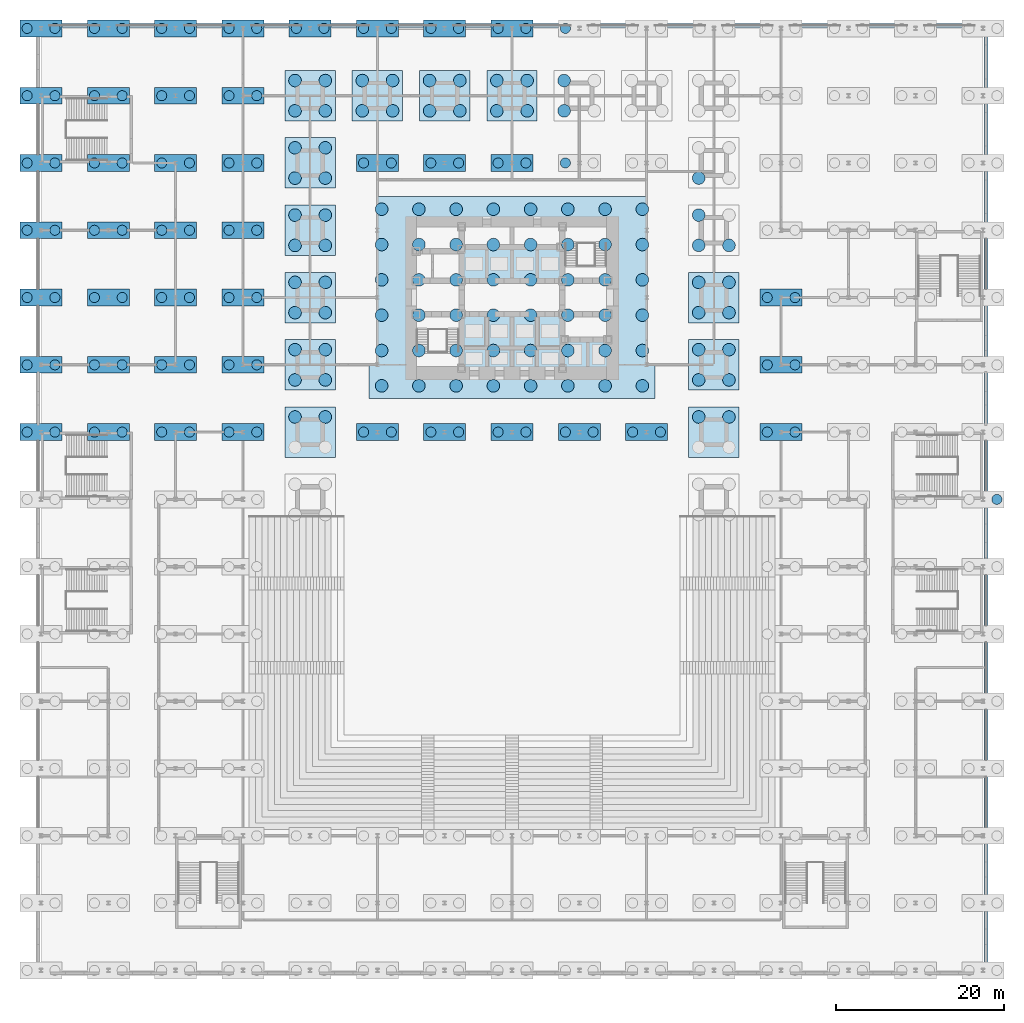
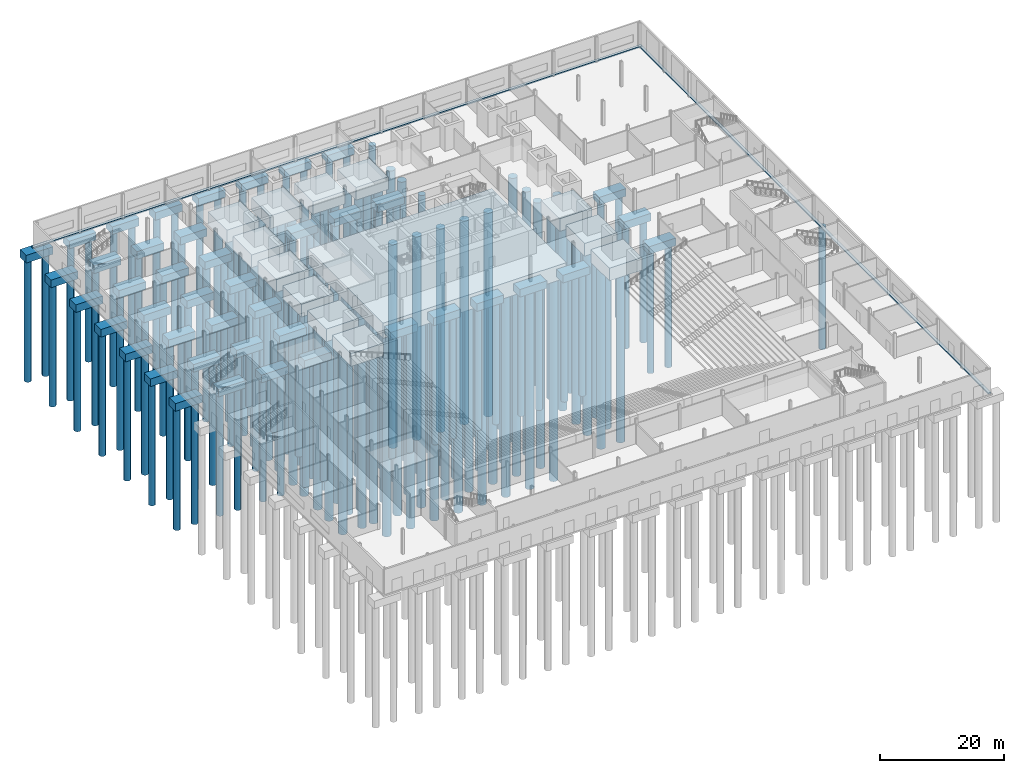
# One storey, part 2 of 24: 187 piles, 58 footings.
"""IFC4 building model written with IfcOpenShell, lengths in metres."""

from ifc_helpers import new_model, si_unit, direction, frame, origin, origin_2d, place, context, subcontext, project, spatial, polyline, rectangle, circle, outline, extrude, material, layer, layer_set, type_object, element, save


model = new_model("IFC4")

# Units and contexts
model_context = context("Model", 3, precision=1e-05, world=origin(), true_north=direction((0.0, 1.0)))
body_context = subcontext(model_context, "Body", "Model", "MODEL_VIEW")
ifc_project = project(units=[si_unit("LENGTHUNIT", "METRE"), si_unit("AREAUNIT", "SQUARE_METRE"), si_unit("VOLUMEUNIT", "CUBIC_METRE"), si_unit("PLANEANGLEUNIT", "RADIAN"), si_unit("MASSUNIT", "GRAM", prefix="KILO")], contexts=[model_context])

# Site, building, storey
site_placement = place(None, origin())
site = spatial("IfcSite", under=ifc_project, at=site_placement, CompositionType="ELEMENT")
building_placement = place(site_placement, origin())
building = spatial("IfcBuilding", under=site, at=building_placement, Name="Daluyong Arena Tower", CompositionType="ELEMENT")
storey_placement = place(building_placement, origin())
storey = spatial("IfcBuildingStorey", under=building, at=storey_placement, Name="L00", CompositionType="ELEMENT", Elevation=0.0)

# Piles
ifc_material_1 = material(Name="Concrete fc' 45 MPa", Category="concrete")
pile_type_1 = type_object("IfcPileType", Name="Bored pile D1200", PredefinedType="BORED", material=ifc_material_1)
for number, where, z_axis, x_axis, name in (
    (1, (-1.64990234375, 64.0, -1.64990234375), (0.0, 0.0, -1.0), (1.0, 0.0, 0.0), "pile under PC2 at 0,64"),
    (2, (1.64990234375, 64.0, -1.64990234375), (0.0, 0.0, -1.0), (1.0, 0.0, 0.0), "pile under PC2 at 0,64"),
    (3, (-1.64990234375, 72.0, -1.64990234375), (0.0, 0.0, -1.0), (1.0, 0.0, 0.0), "pile under PC2 at 0,72"),
    (4, (1.64990234375, 72.0, -1.64990234375), (0.0, 0.0, -1.0), (1.0, 0.0, 0.0), "pile under PC2 at 0,72"),
    (5, (-1.64990234375, 80.0, -1.64990234375), (0.0, 0.0, -1.0), (1.0, 0.0, 0.0), "pile under PC2 at 0,80"),
    (6, (1.64990234375, 80.0, -1.64990234375), (0.0, 0.0, -1.0), (1.0, 0.0, 0.0), "pile under PC2 at 0,80"),
    (7, (-1.64990234375, 88.0, -1.64990234375), (0.0, 0.0, -1.0), (1.0, 0.0, 0.0), "pile under PC2 at 0,88"),
    (8, (1.64990234375, 88.0, -1.64990234375), (0.0, 0.0, -1.0), (1.0, 0.0, 0.0), "pile under PC2 at 0,88"),
    (9, (-1.64990234375, 96.0, -1.64990234375), (0.0, 0.0, -1.0), (1.0, 0.0, 0.0), "pile under PC2 at 0,96"),
    (10, (1.64990234375, 96.0, -1.64990234375), (0.0, 0.0, -1.0), (1.0, 0.0, 0.0), "pile under PC2 at 0,96"),
    (11, (-1.64990234375, 104.0, -1.64990234375), (0.0, 0.0, -1.0), (1.0, 0.0, 0.0), "pile under PC2 at 0,104"),
    (12, (1.64990234375, 104.0, -1.64990234375), (0.0, 0.0, -1.0), (1.0, 0.0, 0.0), "pile under PC2 at 0,104"),
    (13, (-1.64990234375, 112.0, -1.64990234375), (0.0, 0.0, -1.0), (1.0, 0.0, 0.0), "pile under PC2 at 0,112"),
    (14, (1.64990234375, 112.0, -1.64990234375), (0.0, 0.0, -1.0), (1.0, 0.0, 0.0), "pile under PC2 at 0,112"),
    (15, (6.35009765625, 64.0, -1.64990234375), (0.0, 0.0, -1.0), (1.0, 0.0, 0.0), "pile under PC2 at 8,64"),
    (16, (9.64990234375, 64.0, -1.64990234375), (0.0, 0.0, -1.0), (1.0, 0.0, 0.0), "pile under PC2 at 8,64"),
    (17, (6.35009765625, 72.0, -1.64990234375), (0.0, 0.0, -1.0), (1.0, 0.0, 0.0), "pile under PC2 at 8,72"),
    (18, (9.64990234375, 72.0, -1.64990234375), (0.0, 0.0, -1.0), (1.0, 0.0, 0.0), "pile under PC2 at 8,72"),
    (19, (6.35009765625, 80.0, -1.64990234375), (0.0, 0.0, -1.0), (1.0, 0.0, 0.0), "pile under PC2 at 8,80"),
    (20, (9.64990234375, 80.0, -1.64990234375), (0.0, 0.0, -1.0), (1.0, 0.0, 0.0), "pile under PC2 at 8,80"),
    (21, (6.35009765625, 88.0, -1.64990234375), (0.0, 0.0, -1.0), (1.0, 0.0, 0.0), "pile under PC2 at 8,88"),
    (22, (9.64990234375, 88.0, -1.64990234375), (0.0, 0.0, -1.0), (1.0, 0.0, 0.0), "pile under PC2 at 8,88"),
    (23, (6.35009765625, 96.0, -1.64990234375), (0.0, 0.0, -1.0), (1.0, 0.0, 0.0), "pile under PC2 at 8,96"),
    (24, (9.64990234375, 96.0, -1.64990234375), (0.0, 0.0, -1.0), (1.0, 0.0, 0.0), "pile under PC2 at 8,96"),
    (25, (6.35009765625, 104.0, -1.64990234375), (0.0, 0.0, -1.0), (1.0, 0.0, 0.0), "pile under PC2 at 8,104"),
    (26, (9.64990234375, 104.0, -1.64990234375), (0.0, 0.0, -1.0), (1.0, 0.0, 0.0), "pile under PC2 at 8,104"),
    (27, (6.35009765625, 112.0, -1.64990234375), (0.0, 0.0, -1.0), (1.0, 0.0, 0.0), "pile under PC2 at 8,112"),
    (28, (9.64990234375, 112.0, -1.64990234375), (0.0, 0.0, -1.0), (1.0, 0.0, 0.0), "pile under PC2 at 8,112"),
    (29, (14.35009765625, 64.0, -1.64990234375), (0.0, 0.0, -1.0), (1.0, 0.0, 0.0), "pile under PC2 at 16,64"),
    (30, (17.64990234375, 64.0, -1.64990234375), (0.0, 0.0, -1.0), (1.0, 0.0, 0.0), "pile under PC2 at 16,64"),
    (31, (14.35009765625, 72.0, -1.64990234375), (0.0, 0.0, -1.0), (1.0, 0.0, 0.0), "pile under PC2 at 16,72"),
    (32, (17.64990234375, 72.0, -1.64990234375), (0.0, 0.0, -1.0), (1.0, 0.0, 0.0), "pile under PC2 at 16,72"),
    (33, (14.35009765625, 80.0, -1.64990234375), (0.0, 0.0, -1.0), (1.0, 0.0, 0.0), "pile under PC2 at 16,80"),
    (34, (17.64990234375, 80.0, -1.64990234375), (0.0, 0.0, -1.0), (1.0, 0.0, 0.0), "pile under PC2 at 16,80"),
    (35, (14.35009765625, 88.0, -1.64990234375), (0.0, 0.0, -1.0), (1.0, 0.0, 0.0), "pile under PC2 at 16,88"),
    (36, (17.64990234375, 88.0, -1.64990234375), (0.0, 0.0, -1.0), (1.0, 0.0, 0.0), "pile under PC2 at 16,88"),
    (37, (14.35009765625, 96.0, -1.64990234375), (0.0, 0.0, -1.0), (1.0, 0.0, 0.0), "pile under PC2 at 16,96"),
    (38, (17.64990234375, 96.0, -1.64990234375), (0.0, 0.0, -1.0), (1.0, 0.0, 0.0), "pile under PC2 at 16,96"),
    (39, (14.35009765625, 104.0, -1.64990234375), (0.0, 0.0, -1.0), (1.0, 0.0, 0.0), "pile under PC2 at 16,104"),
    (40, (17.64990234375, 104.0, -1.64990234375), (0.0, 0.0, -1.0), (1.0, 0.0, 0.0), "pile under PC2 at 16,104"),
    (41, (14.35009765625, 112.0, -1.64990234375), (0.0, 0.0, -1.0), (1.0, 0.0, 0.0), "pile under PC2 at 16,112"),
    (42, (17.64990234375, 112.0, -1.64990234375), (0.0, 0.0, -1.0), (1.0, 0.0, 0.0), "pile under PC2 at 16,112"),
    (43, (22.35009765625, 64.0, -1.64990234375), (0.0, 0.0, -1.0), (1.0, 0.0, 0.0), "pile under PC2 at 24,64"),
    (44, (25.64990234375, 64.0, -1.64990234375), (0.0, 0.0, -1.0), (1.0, 0.0, 0.0), "pile under PC2 at 24,64"),
    (45, (22.35009765625, 72.0, -1.64990234375), (0.0, 0.0, -1.0), (1.0, 0.0, 0.0), "pile under PC2 at 24,72"),
    (46, (25.64990234375, 72.0, -1.64990234375), (0.0, 0.0, -1.0), (1.0, 0.0, 0.0), "pile under PC2 at 24,72"),
    (47, (22.35009765625, 80.0, -1.64990234375), (0.0, 0.0, -1.0), (1.0, 0.0, 0.0), "pile under PC2 at 24,80"),
    (48, (25.64990234375, 80.0, -1.64990234375), (0.0, 0.0, -1.0), (1.0, 0.0, 0.0), "pile under PC2 at 24,80"),
    (49, (22.35009765625, 88.0, -1.64990234375), (0.0, 0.0, -1.0), (1.0, 0.0, 0.0), "pile under PC2 at 24,88"),
    (50, (25.64990234375, 88.0, -1.64990234375), (0.0, 0.0, -1.0), (1.0, 0.0, 0.0), "pile under PC2 at 24,88"),
    (51, (22.35009765625, 96.0, -1.64990234375), (0.0, 0.0, -1.0), (1.0, 0.0, 0.0), "pile under PC2 at 24,96"),
    (52, (25.64990234375, 96.0, -1.64990234375), (0.0, 0.0, -1.0), (1.0, 0.0, 0.0), "pile under PC2 at 24,96"),
    (53, (22.35009765625, 104.0, -1.64990234375), (0.0, 0.0, -1.0), (1.0, 0.0, 0.0), "pile under PC2 at 24,104"),
    (54, (25.64990234375, 104.0, -1.64990234375), (0.0, 0.0, -1.0), (1.0, 0.0, 0.0), "pile under PC2 at 24,104"),
    (55, (22.35009765625, 112.0, -1.64990234375), (0.0, 0.0, -1.0), (1.0, 0.0, 0.0), "pile under PC2 at 24,112"),
    (56, (25.64990234375, 112.0, -1.64990234375), (0.0, 0.0, -1.0), (1.0, 0.0, 0.0), "pile under PC2 at 24,112"),
    (57, (30.35009765625, 112.0, -1.64990234375), (0.0, 0.0, -1.0), (1.0, 0.0, 0.0), "pile under PC2 at 32,112"),
    (58, (33.64990234375, 112.0, -1.64990234375), (0.0, 0.0, -1.0), (1.0, 0.0, 0.0), "pile under PC2 at 32,112"),
    (59, (38.35009765625, 64.0, -1.64990234375), (0.0, 0.0, -1.0), (1.0, 0.0, 0.0), "pile under PC2 at 40,64"),
    (60, (41.64990234375, 64.0, -1.64990234375), (0.0, 0.0, -1.0), (1.0, 0.0, 0.0), "pile under PC2 at 40,64"),
    (61, (38.35009765625, 96.0, -1.64990234375), (0.0, 0.0, -1.0), (1.0, 0.0, 0.0), "pile under PC2 at 40,96"),
    (62, (41.64990234375, 96.0, -1.64990234375), (0.0, 0.0, -1.0), (1.0, 0.0, 0.0), "pile under PC2 at 40,96"),
    (63, (38.35009765625, 112.0, -1.64990234375), (0.0, 0.0, -1.0), (1.0, 0.0, 0.0), "pile under PC2 at 40,112"),
    (64, (41.64990234375, 112.0, -1.64990234375), (0.0, 0.0, -1.0), (1.0, 0.0, 0.0), "pile under PC2 at 40,112"),
    (65, (46.35009765625, 64.0, -1.64990234375), (0.0, 0.0, -1.0), (1.0, 0.0, 0.0), "pile under PC2 at 48,64"),
    (66, (49.64990234375, 64.0, -1.64990234375), (0.0, 0.0, -1.0), (1.0, 0.0, 0.0), "pile under PC2 at 48,64"),
    (67, (46.35009765625, 96.0, -1.64990234375), (0.0, 0.0, -1.0), (1.0, 0.0, 0.0), "pile under PC2 at 48,96"),
    (68, (49.64990234375, 96.0, -1.64990234375), (0.0, 0.0, -1.0), (1.0, 0.0, 0.0), "pile under PC2 at 48,96"),
    (69, (46.35009765625, 112.0, -1.64990234375), (0.0, 0.0, -1.0), (1.0, 0.0, 0.0), "pile under PC2 at 48,112"),
    (70, (49.64990234375, 112.0, -1.64990234375), (0.0, 0.0, -1.0), (1.0, 0.0, 0.0), "pile under PC2 at 48,112"),
    (71, (54.35009765625, 64.0, -1.64990234375), (0.0, 0.0, -1.0), (1.0, 0.0, 0.0), "pile under PC2 at 56,64"),
    (72, (57.64990234375, 64.0, -1.64990234375), (0.0, 0.0, -1.0), (1.0, 0.0, 0.0), "pile under PC2 at 56,64"),
    (73, (54.35009765625, 96.0, -1.64990234375), (0.0, 0.0, -1.0), (1.0, 0.0, 0.0), "pile under PC2 at 56,96"),
    (74, (57.64990234375, 96.0, -1.64990234375), (0.0, 0.0, -1.0), (1.0, 0.0, 0.0), "pile under PC2 at 56,96"),
    (75, (54.35009765625, 112.0, -1.64990234375), (0.0, 0.0, -1.0), (1.0, 0.0, 0.0), "pile under PC2 at 56,112"),
    (76, (57.64990234375, 112.0, -1.64990234375), (0.0, 0.0, -1.0), (1.0, 0.0, 0.0), "pile under PC2 at 56,112"),
    (77, (62.35009765625, 64.0, -1.64990234375), (0.0, 0.0, -1.0), (1.0, 0.0, 0.0), "pile under PC2 at 64,64"),
    (78, (65.64990234375, 64.0, -1.64990234375), (0.0, 0.0, -1.0), (1.0, 0.0, 0.0), "pile under PC2 at 64,64"),
    (79, (62.35009765625, 96.0, -1.64990234375), (0.0, 0.0, -1.0), (1.0, 0.0, 0.0), "pile under PC2 at 64,96"),
    (80, (62.35009765625, 112.0, -1.64990234375), (0.0, 0.0, -1.0), (1.0, 0.0, 0.0), "pile under PC2 at 64,112"),
    (81, (70.35009765625, 64.0, -1.64990234375), (0.0, 0.0, -1.0), (1.0, 0.0, 0.0), "pile under PC2 at 72,64"),
    (82, (73.64990234375, 64.0, -1.64990234375), (0.0, 0.0, -1.0), (1.0, 0.0, 0.0), "pile under PC2 at 72,64"),
    (83, (86.35009765625, 64.0, -1.64990234375), (0.0, 0.0, -1.0), (1.0, 0.0, 0.0), "pile under PC2 at 88,64"),
    (84, (89.64990234375, 64.0, -1.64990234375), (0.0, 0.0, -1.0), (1.0, 0.0, 0.0), "pile under PC2 at 88,64"),
    (85, (86.35009765625, 72.0, -1.64990234375), (0.0, 0.0, -1.0), (1.0, 0.0, 0.0), "pile under PC2 at 88,72"),
    (86, (89.64990234375, 72.0, -1.64990234375), (0.0, 0.0, -1.0), (1.0, 0.0, 0.0), "pile under PC2 at 88,72"),
    (87, (86.35009765625, 80.0, -1.64990234375), (0.0, 0.0, -1.0), (1.0, 0.0, 0.0), "pile under PC2 at 88,80"),
    (88, (89.64990234375, 80.0, -1.64990234375), (0.0, 0.0, -1.0), (1.0, 0.0, 0.0), "pile under PC2 at 88,80"),
    (89, (113.64990234375, 56.0, -1.64990234375), (0.0, 0.0, -1.0), (1.0, 0.0, 0.0), "pile under PC2 at 112,56"),
):
    element("IfcPile", number, at=place(storey_placement, frame(where, z_axis=z_axis, x_axis=x_axis)), inside=storey, type_object=pile_type_1, Name=name, PredefinedType="BORED", context=body_context, shape_type="SweptSolid", body=[
        extrude(circle(Radius=0.60009765625, at=origin_2d()), origin(), (0.0, 0.0, 1.0), 24.0),
    ])
ifc_material_2 = material(Name="Concrete fc' 45 MPa", Category="concrete")
pile_type_2 = type_object("IfcPileType", Name="Bored pile D1500", PredefinedType="BORED", material=ifc_material_2)
for number, where, z_axis, x_axis, name in (
    (90, (40.5, 69.5, -4.89990234375), (0.0, 0.0, -1.0), (1.0, 0.0, 0.0), "core raft pile BP1-1"),
    (91, (40.5, 73.699951171875, -4.89990234375), (0.0, 0.0, -1.0), (1.0, 0.0, 0.0), "core raft pile BP1-2"),
    (92, (40.5, 77.89990234375, -4.89990234375), (0.0, 0.0, -1.0), (1.0, 0.0, 0.0), "core raft pile BP1-3"),
    (93, (40.5, 82.10009765625, -4.89990234375), (0.0, 0.0, -1.0), (1.0, 0.0, 0.0), "core raft pile BP1-4"),
    (94, (40.5, 86.300048828125, -4.89990234375), (0.0, 0.0, -1.0), (1.0, 0.0, 0.0), "core raft pile BP1-5"),
    (95, (40.5, 90.5, -4.89990234375), (0.0, 0.0, -1.0), (1.0, 0.0, 0.0), "core raft pile BP1-6"),
    (96, (44.928466796875, 69.5, -4.89990234375), (0.0, 0.0, -1.0), (1.0, 0.0, 0.0), "core raft pile BP1-7"),
    (97, (44.928466796875, 73.699951171875, -4.89990234375), (0.0, 0.0, -1.0), (1.0, 0.0, 0.0), "core raft pile BP1-8"),
    (98, (44.928466796875, 77.89990234375, -4.89990234375), (0.0, 0.0, -1.0), (1.0, 0.0, 0.0), "core raft pile BP1-9"),
    (99, (44.928466796875, 82.10009765625, -4.89990234375), (0.0, 0.0, -1.0), (1.0, 0.0, 0.0), "core raft pile BP1-10"),
    (100, (44.928466796875, 86.300048828125, -4.89990234375), (0.0, 0.0, -1.0), (1.0, 0.0, 0.0), "core raft pile BP1-11"),
    (101, (44.928466796875, 90.5, -4.89990234375), (0.0, 0.0, -1.0), (1.0, 0.0, 0.0), "core raft pile BP1-12"),
    (102, (49.357177734375, 69.5, -4.89990234375), (0.0, 0.0, -1.0), (1.0, 0.0, 0.0), "core raft pile BP1-13"),
    (103, (49.357177734375, 73.699951171875, -4.89990234375), (0.0, 0.0, -1.0), (1.0, 0.0, 0.0), "core raft pile BP1-14"),
    (104, (49.357177734375, 77.89990234375, -4.89990234375), (0.0, 0.0, -1.0), (1.0, 0.0, 0.0), "core raft pile BP1-15"),
    (105, (49.357177734375, 82.10009765625, -4.89990234375), (0.0, 0.0, -1.0), (1.0, 0.0, 0.0), "core raft pile BP1-16"),
    (106, (49.357177734375, 86.300048828125, -4.89990234375), (0.0, 0.0, -1.0), (1.0, 0.0, 0.0), "core raft pile BP1-17"),
    (107, (49.357177734375, 90.5, -4.89990234375), (0.0, 0.0, -1.0), (1.0, 0.0, 0.0), "core raft pile BP1-18"),
    (108, (53.78564453125, 69.5, -4.89990234375), (0.0, 0.0, -1.0), (1.0, 0.0, 0.0), "core raft pile BP1-19"),
    (109, (53.78564453125, 73.699951171875, -4.89990234375), (0.0, 0.0, -1.0), (1.0, 0.0, 0.0), "core raft pile BP1-20"),
    (110, (53.78564453125, 77.89990234375, -4.89990234375), (0.0, 0.0, -1.0), (1.0, 0.0, 0.0), "core raft pile BP1-21"),
    (111, (53.78564453125, 82.10009765625, -4.89990234375), (0.0, 0.0, -1.0), (1.0, 0.0, 0.0), "core raft pile BP1-22"),
    (112, (53.78564453125, 86.300048828125, -4.89990234375), (0.0, 0.0, -1.0), (1.0, 0.0, 0.0), "core raft pile BP1-23"),
    (113, (53.78564453125, 90.5, -4.89990234375), (0.0, 0.0, -1.0), (1.0, 0.0, 0.0), "core raft pile BP1-24"),
    (114, (58.21435546875, 69.5, -4.89990234375), (0.0, 0.0, -1.0), (1.0, 0.0, 0.0), "core raft pile BP1-25"),
    (115, (58.21435546875, 73.699951171875, -4.89990234375), (0.0, 0.0, -1.0), (1.0, 0.0, 0.0), "core raft pile BP1-26"),
    (116, (58.21435546875, 77.89990234375, -4.89990234375), (0.0, 0.0, -1.0), (1.0, 0.0, 0.0), "core raft pile BP1-27"),
    (117, (58.21435546875, 82.10009765625, -4.89990234375), (0.0, 0.0, -1.0), (1.0, 0.0, 0.0), "core raft pile BP1-28"),
    (118, (58.21435546875, 86.300048828125, -4.89990234375), (0.0, 0.0, -1.0), (1.0, 0.0, 0.0), "core raft pile BP1-29"),
    (119, (58.21435546875, 90.5, -4.89990234375), (0.0, 0.0, -1.0), (1.0, 0.0, 0.0), "core raft pile BP1-30"),
    (120, (62.642822265625, 69.5, -4.89990234375), (0.0, 0.0, -1.0), (1.0, 0.0, 0.0), "core raft pile BP1-31"),
    (121, (62.642822265625, 73.699951171875, -4.89990234375), (0.0, 0.0, -1.0), (1.0, 0.0, 0.0), "core raft pile BP1-32"),
    (122, (62.642822265625, 77.89990234375, -4.89990234375), (0.0, 0.0, -1.0), (1.0, 0.0, 0.0), "core raft pile BP1-33"),
    (123, (62.642822265625, 82.10009765625, -4.89990234375), (0.0, 0.0, -1.0), (1.0, 0.0, 0.0), "core raft pile BP1-34"),
    (124, (62.642822265625, 86.300048828125, -4.89990234375), (0.0, 0.0, -1.0), (1.0, 0.0, 0.0), "core raft pile BP1-35"),
    (125, (62.642822265625, 90.5, -4.89990234375), (0.0, 0.0, -1.0), (1.0, 0.0, 0.0), "core raft pile BP1-36"),
    (126, (67.071533203125, 69.5, -4.89990234375), (0.0, 0.0, -1.0), (1.0, 0.0, 0.0), "core raft pile BP1-37"),
    (127, (67.071533203125, 73.699951171875, -4.89990234375), (0.0, 0.0, -1.0), (1.0, 0.0, 0.0), "core raft pile BP1-38"),
    (128, (67.071533203125, 77.89990234375, -4.89990234375), (0.0, 0.0, -1.0), (1.0, 0.0, 0.0), "core raft pile BP1-39"),
    (129, (67.071533203125, 82.10009765625, -4.89990234375), (0.0, 0.0, -1.0), (1.0, 0.0, 0.0), "core raft pile BP1-40"),
    (130, (67.071533203125, 86.300048828125, -4.89990234375), (0.0, 0.0, -1.0), (1.0, 0.0, 0.0), "core raft pile BP1-41"),
    (131, (67.071533203125, 90.5, -4.89990234375), (0.0, 0.0, -1.0), (1.0, 0.0, 0.0), "core raft pile BP1-42"),
    (132, (71.5, 69.5, -4.89990234375), (0.0, 0.0, -1.0), (1.0, 0.0, 0.0), "core raft pile BP1-43"),
    (133, (71.5, 73.699951171875, -4.89990234375), (0.0, 0.0, -1.0), (1.0, 0.0, 0.0), "core raft pile BP1-44"),
    (134, (71.5, 77.89990234375, -4.89990234375), (0.0, 0.0, -1.0), (1.0, 0.0, 0.0), "core raft pile BP1-45"),
    (135, (71.5, 82.10009765625, -4.89990234375), (0.0, 0.0, -1.0), (1.0, 0.0, 0.0), "core raft pile BP1-46"),
    (136, (71.5, 86.300048828125, -4.89990234375), (0.0, 0.0, -1.0), (1.0, 0.0, 0.0), "core raft pile BP1-47"),
    (137, (71.5, 90.5, -4.89990234375), (0.0, 0.0, -1.0), (1.0, 0.0, 0.0), "core raft pile BP1-48"),
):
    element("IfcPile", number, at=place(storey_placement, frame(where, z_axis=z_axis, x_axis=x_axis)), inside=storey, type_object=pile_type_2, Name=name, PredefinedType="BORED", context=body_context, shape_type="SweptSolid", body=[
        extrude(circle(Radius=0.75, at=origin_2d()), origin(), (0.0, 0.0, 1.0), 40.0),
    ])
for number, where, z_axis, x_axis, name in (
    (138, (30.199951171875, 65.800048828125, -2.64990234375), (0.0, 0.0, -1.0), (1.0, 0.0, 0.0), "pile under PC4 at 32,64"),
    (139, (33.800048828125, 65.800048828125, -2.64990234375), (0.0, 0.0, -1.0), (1.0, 0.0, 0.0), "pile under PC4 at 32,64"),
    (140, (30.199951171875, 70.199951171875, -2.64990234375), (0.0, 0.0, -1.0), (1.0, 0.0, 0.0), "pile under PC4 at 32,72"),
    (141, (33.800048828125, 70.199951171875, -2.64990234375), (0.0, 0.0, -1.0), (1.0, 0.0, 0.0), "pile under PC4 at 32,72"),
    (142, (30.199951171875, 73.800048828125, -2.64990234375), (0.0, 0.0, -1.0), (1.0, 0.0, 0.0), "pile under PC4 at 32,72"),
    (143, (33.800048828125, 73.800048828125, -2.64990234375), (0.0, 0.0, -1.0), (1.0, 0.0, 0.0), "pile under PC4 at 32,72"),
    (144, (30.199951171875, 78.199951171875, -2.64990234375), (0.0, 0.0, -1.0), (1.0, 0.0, 0.0), "pile under PC4 at 32,80"),
    (145, (33.800048828125, 78.199951171875, -2.64990234375), (0.0, 0.0, -1.0), (1.0, 0.0, 0.0), "pile under PC4 at 32,80"),
    (146, (30.199951171875, 81.800048828125, -2.64990234375), (0.0, 0.0, -1.0), (1.0, 0.0, 0.0), "pile under PC4 at 32,80"),
    (147, (33.800048828125, 81.800048828125, -2.64990234375), (0.0, 0.0, -1.0), (1.0, 0.0, 0.0), "pile under PC4 at 32,80"),
    (148, (30.199951171875, 86.199951171875, -2.64990234375), (0.0, 0.0, -1.0), (1.0, 0.0, 0.0), "pile under PC4 at 32,88"),
    (149, (33.800048828125, 86.199951171875, -2.64990234375), (0.0, 0.0, -1.0), (1.0, 0.0, 0.0), "pile under PC4 at 32,88"),
    (150, (30.199951171875, 89.800048828125, -2.64990234375), (0.0, 0.0, -1.0), (1.0, 0.0, 0.0), "pile under PC4 at 32,88"),
    (151, (33.800048828125, 89.800048828125, -2.64990234375), (0.0, 0.0, -1.0), (1.0, 0.0, 0.0), "pile under PC4 at 32,88"),
    (152, (30.199951171875, 94.199951171875, -2.64990234375), (0.0, 0.0, -1.0), (1.0, 0.0, 0.0), "pile under PC4 at 32,96"),
    (153, (33.800048828125, 94.199951171875, -2.64990234375), (0.0, 0.0, -1.0), (1.0, 0.0, 0.0), "pile under PC4 at 32,96"),
    (154, (30.199951171875, 97.800048828125, -2.64990234375), (0.0, 0.0, -1.0), (1.0, 0.0, 0.0), "pile under PC4 at 32,96"),
    (155, (33.800048828125, 97.800048828125, -2.64990234375), (0.0, 0.0, -1.0), (1.0, 0.0, 0.0), "pile under PC4 at 32,96"),
    (156, (30.199951171875, 102.199951171875, -2.64990234375), (0.0, 0.0, -1.0), (1.0, 0.0, 0.0), "pile under PC4 at 32,104"),
    (157, (33.800048828125, 102.199951171875, -2.64990234375), (0.0, 0.0, -1.0), (1.0, 0.0, 0.0), "pile under PC4 at 32,104"),
    (158, (30.199951171875, 105.800048828125, -2.64990234375), (0.0, 0.0, -1.0), (1.0, 0.0, 0.0), "pile under PC4 at 32,104"),
    (159, (33.800048828125, 105.800048828125, -2.64990234375), (0.0, 0.0, -1.0), (1.0, 0.0, 0.0), "pile under PC4 at 32,104"),
    (160, (38.199951171875, 102.199951171875, -2.64990234375), (0.0, 0.0, -1.0), (1.0, 0.0, 0.0), "pile under PC4 at 40,104"),
    (161, (41.800048828125, 102.199951171875, -2.64990234375), (0.0, 0.0, -1.0), (1.0, 0.0, 0.0), "pile under PC4 at 40,104"),
    (162, (38.199951171875, 105.800048828125, -2.64990234375), (0.0, 0.0, -1.0), (1.0, 0.0, 0.0), "pile under PC4 at 40,104"),
    (163, (41.800048828125, 105.800048828125, -2.64990234375), (0.0, 0.0, -1.0), (1.0, 0.0, 0.0), "pile under PC4 at 40,104"),
    (164, (46.199951171875, 102.199951171875, -2.64990234375), (0.0, 0.0, -1.0), (1.0, 0.0, 0.0), "pile under PC4 at 48,104"),
    (165, (49.800048828125, 102.199951171875, -2.64990234375), (0.0, 0.0, -1.0), (1.0, 0.0, 0.0), "pile under PC4 at 48,104"),
    (166, (46.199951171875, 105.800048828125, -2.64990234375), (0.0, 0.0, -1.0), (1.0, 0.0, 0.0), "pile under PC4 at 48,104"),
    (167, (49.800048828125, 105.800048828125, -2.64990234375), (0.0, 0.0, -1.0), (1.0, 0.0, 0.0), "pile under PC4 at 48,104"),
    (168, (54.199951171875, 102.199951171875, -2.64990234375), (0.0, 0.0, -1.0), (1.0, 0.0, 0.0), "pile under PC4 at 56,104"),
    (169, (57.800048828125, 102.199951171875, -2.64990234375), (0.0, 0.0, -1.0), (1.0, 0.0, 0.0), "pile under PC4 at 56,104"),
    (170, (54.199951171875, 105.800048828125, -2.64990234375), (0.0, 0.0, -1.0), (1.0, 0.0, 0.0), "pile under PC4 at 56,104"),
    (171, (57.800048828125, 105.800048828125, -2.64990234375), (0.0, 0.0, -1.0), (1.0, 0.0, 0.0), "pile under PC4 at 56,104"),
    (172, (62.199951171875, 102.199951171875, -2.64990234375), (0.0, 0.0, -1.0), (1.0, 0.0, 0.0), "pile under PC4 at 64,104"),
    (173, (62.199951171875, 105.800048828125, -2.64990234375), (0.0, 0.0, -1.0), (1.0, 0.0, 0.0), "pile under PC4 at 64,104"),
    (174, (78.199951171875, 65.800048828125, -2.64990234375), (0.0, 0.0, -1.0), (1.0, 0.0, 0.0), "pile under PC4 at 80,64"),
    (175, (81.800048828125, 65.800048828125, -2.64990234375), (0.0, 0.0, -1.0), (1.0, 0.0, 0.0), "pile under PC4 at 80,64"),
    (176, (78.199951171875, 70.199951171875, -2.64990234375), (0.0, 0.0, -1.0), (1.0, 0.0, 0.0), "pile under PC4 at 80,72"),
    (177, (81.800048828125, 70.199951171875, -2.64990234375), (0.0, 0.0, -1.0), (1.0, 0.0, 0.0), "pile under PC4 at 80,72"),
    (178, (78.199951171875, 73.800048828125, -2.64990234375), (0.0, 0.0, -1.0), (1.0, 0.0, 0.0), "pile under PC4 at 80,72"),
    (179, (81.800048828125, 73.800048828125, -2.64990234375), (0.0, 0.0, -1.0), (1.0, 0.0, 0.0), "pile under PC4 at 80,72"),
    (180, (78.199951171875, 78.199951171875, -2.64990234375), (0.0, 0.0, -1.0), (1.0, 0.0, 0.0), "pile under PC4 at 80,80"),
    (181, (81.800048828125, 78.199951171875, -2.64990234375), (0.0, 0.0, -1.0), (1.0, 0.0, 0.0), "pile under PC4 at 80,80"),
    (182, (78.199951171875, 81.800048828125, -2.64990234375), (0.0, 0.0, -1.0), (1.0, 0.0, 0.0), "pile under PC4 at 80,80"),
    (183, (81.800048828125, 81.800048828125, -2.64990234375), (0.0, 0.0, -1.0), (1.0, 0.0, 0.0), "pile under PC4 at 80,80"),
    (184, (78.199951171875, 86.199951171875, -2.64990234375), (0.0, 0.0, -1.0), (1.0, 0.0, 0.0), "pile under PC4 at 80,88"),
    (185, (81.800048828125, 86.199951171875, -2.64990234375), (0.0, 0.0, -1.0), (1.0, 0.0, 0.0), "pile under PC4 at 80,88"),
    (186, (78.199951171875, 89.800048828125, -2.64990234375), (0.0, 0.0, -1.0), (1.0, 0.0, 0.0), "pile under PC4 at 80,88"),
    (187, (78.199951171875, 94.199951171875, -2.64990234375), (0.0, 0.0, -1.0), (1.0, 0.0, 0.0), "pile under PC4 at 80,96"),
):
    element("IfcPile", number, at=place(storey_placement, frame(where, z_axis=z_axis, x_axis=x_axis)), inside=storey, type_object=pile_type_2, Name=name, PredefinedType="BORED", context=body_context, shape_type="SweptSolid", body=[
        extrude(circle(Radius=0.75, at=origin_2d()), origin(), (0.0, 0.0, 1.0), 36.0),
    ])

# Footings
ifc_material_3 = material(Name="Concrete fc' 45 MPa", Category="concrete")
ifc_layer_1 = layer(ifc_material_3, 3.0)
ifc_layer_set_1 = layer_set([ifc_layer_1], Name="Concrete fc' 45 MPa")
footing_type_1 = type_object("IfcFootingType", Name="Core raft 3000", PredefinedType="PILE_CAP", material=ifc_layer_set_1)
footing_1_placement = place(storey_placement, frame((0.0, 0.0, -5.0)))
element("IfcFooting", 188, at=footing_1_placement, inside=storey, type_object=footing_type_1, Name="core piled raft RF1", PredefinedType="PILE_CAP", context=body_context, shape_type="SweptSolid", body=[
    extrude(outline(polyline([(73.0, 68.0), (73.0, 92.0), (39.0, 92.0), (39.0, 68.0), (73.0, 68.0)])), origin(), (0.0, 0.0, 1.0), 3.0),
])
ifc_material_4 = material(Name="Concrete fc' 35 MPa", Category="concrete")
ifc_layer_2 = layer(ifc_material_4, 0.25)
ifc_layer_set_2 = layer_set([ifc_layer_2], Name="Concrete fc' 35 MPa")
footing_type_2 = type_object("IfcFootingType", Name="Facade ground beam 500", PredefinedType="STRIP_FOOTING", material=ifc_layer_set_2)
footing_2_placement = place(storey_placement, frame((56.0, 112.35009765625, -0.25), z_axis=(0.0, 0.0, 1.0), x_axis=(1.0, 0.0, 0.0)))
element("IfcFooting", 189, at=footing_2_placement, inside=storey, type_object=footing_type_2, Name="facade ground beam N", PredefinedType="STRIP_FOOTING", context=body_context, shape_type="SweptSolid", body=[
    extrude(rectangle(XDim=113.199951171875, YDim=0.5, at=origin_2d()), origin(), (0.0, 0.0, 1.0), 0.25),
])
footing_3_placement = place(storey_placement, frame((112.35009765625, 56.0, -0.25), z_axis=(0.0, 0.0, 1.0), x_axis=(1.0, 0.0, 0.0)))
element("IfcFooting", 190, at=footing_3_placement, inside=storey, type_object=footing_type_2, Name="facade ground beam E", PredefinedType="STRIP_FOOTING", context=body_context, shape_type="SweptSolid", body=[
    extrude(rectangle(XDim=0.5, YDim=112.199951171875, at=origin_2d()), origin(), (0.0, 0.0, 1.0), 0.25),
])
ifc_material_5 = material(Name="Concrete fc' 45 MPa", Category="concrete")
ifc_layer_3 = layer(ifc_material_5, 1.5)
ifc_layer_set_3 = layer_set([ifc_layer_3], Name="Concrete fc' 45 MPa")
footing_type_3 = type_object("IfcFootingType", Name="Pile cap 2-pile 5000", PredefinedType="PILE_CAP", material=ifc_layer_set_3)
for number, where, z_axis, x_axis, name in (
    (191, (0.0, 64.0, -1.75), (0.0, 0.0, 1.0), (1.0, 0.0, 0.0), "pile cap PC2 at 0,64"),
    (192, (0.0, 72.0, -1.75), (0.0, 0.0, 1.0), (1.0, 0.0, 0.0), "pile cap PC2 at 0,72"),
    (193, (0.0, 80.0, -1.75), (0.0, 0.0, 1.0), (1.0, 0.0, 0.0), "pile cap PC2 at 0,80"),
    (194, (0.0, 88.0, -1.75), (0.0, 0.0, 1.0), (1.0, 0.0, 0.0), "pile cap PC2 at 0,88"),
    (195, (0.0, 96.0, -1.75), (0.0, 0.0, 1.0), (1.0, 0.0, 0.0), "pile cap PC2 at 0,96"),
    (196, (0.0, 104.0, -1.75), (0.0, 0.0, 1.0), (1.0, 0.0, 0.0), "pile cap PC2 at 0,104"),
    (197, (0.0, 112.0, -1.75), (0.0, 0.0, 1.0), (1.0, 0.0, 0.0), "pile cap PC2 at 0,112"),
    (198, (8.0, 64.0, -1.75), (0.0, 0.0, 1.0), (1.0, 0.0, 0.0), "pile cap PC2 at 8,64"),
    (199, (8.0, 72.0, -1.75), (0.0, 0.0, 1.0), (1.0, 0.0, 0.0), "pile cap PC2 at 8,72"),
    (200, (8.0, 80.0, -1.75), (0.0, 0.0, 1.0), (1.0, 0.0, 0.0), "pile cap PC2 at 8,80"),
    (201, (8.0, 88.0, -1.75), (0.0, 0.0, 1.0), (1.0, 0.0, 0.0), "pile cap PC2 at 8,88"),
    (202, (8.0, 96.0, -1.75), (0.0, 0.0, 1.0), (1.0, 0.0, 0.0), "pile cap PC2 at 8,96"),
    (203, (8.0, 104.0, -1.75), (0.0, 0.0, 1.0), (1.0, 0.0, 0.0), "pile cap PC2 at 8,104"),
    (204, (8.0, 112.0, -1.75), (0.0, 0.0, 1.0), (1.0, 0.0, 0.0), "pile cap PC2 at 8,112"),
    (205, (16.0, 64.0, -1.75), (0.0, 0.0, 1.0), (1.0, 0.0, 0.0), "pile cap PC2 at 16,64"),
    (206, (16.0, 72.0, -1.75), (0.0, 0.0, 1.0), (1.0, 0.0, 0.0), "pile cap PC2 at 16,72"),
    (207, (16.0, 80.0, -1.75), (0.0, 0.0, 1.0), (1.0, 0.0, 0.0), "pile cap PC2 at 16,80"),
    (208, (16.0, 88.0, -1.75), (0.0, 0.0, 1.0), (1.0, 0.0, 0.0), "pile cap PC2 at 16,88"),
    (209, (16.0, 96.0, -1.75), (0.0, 0.0, 1.0), (1.0, 0.0, 0.0), "pile cap PC2 at 16,96"),
    (210, (16.0, 104.0, -1.75), (0.0, 0.0, 1.0), (1.0, 0.0, 0.0), "pile cap PC2 at 16,104"),
    (211, (16.0, 112.0, -1.75), (0.0, 0.0, 1.0), (1.0, 0.0, 0.0), "pile cap PC2 at 16,112"),
    (212, (24.0, 64.0, -1.75), (0.0, 0.0, 1.0), (1.0, 0.0, 0.0), "pile cap PC2 at 24,64"),
    (213, (24.0, 72.0, -1.75), (0.0, 0.0, 1.0), (1.0, 0.0, 0.0), "pile cap PC2 at 24,72"),
    (214, (24.0, 80.0, -1.75), (0.0, 0.0, 1.0), (1.0, 0.0, 0.0), "pile cap PC2 at 24,80"),
    (215, (24.0, 88.0, -1.75), (0.0, 0.0, 1.0), (1.0, 0.0, 0.0), "pile cap PC2 at 24,88"),
    (216, (24.0, 96.0, -1.75), (0.0, 0.0, 1.0), (1.0, 0.0, 0.0), "pile cap PC2 at 24,96"),
    (217, (24.0, 104.0, -1.75), (0.0, 0.0, 1.0), (1.0, 0.0, 0.0), "pile cap PC2 at 24,104"),
    (218, (24.0, 112.0, -1.75), (0.0, 0.0, 1.0), (1.0, 0.0, 0.0), "pile cap PC2 at 24,112"),
    (219, (32.0, 112.0, -1.75), (0.0, 0.0, 1.0), (1.0, 0.0, 0.0), "pile cap PC2 at 32,112"),
    (220, (40.0, 64.0, -1.75), (0.0, 0.0, 1.0), (1.0, 0.0, 0.0), "pile cap PC2 at 40,64"),
    (221, (40.0, 96.0, -1.75), (0.0, 0.0, 1.0), (1.0, 0.0, 0.0), "pile cap PC2 at 40,96"),
    (222, (40.0, 112.0, -1.75), (0.0, 0.0, 1.0), (1.0, 0.0, 0.0), "pile cap PC2 at 40,112"),
    (223, (48.0, 64.0, -1.75), (0.0, 0.0, 1.0), (1.0, 0.0, 0.0), "pile cap PC2 at 48,64"),
    (224, (48.0, 96.0, -1.75), (0.0, 0.0, 1.0), (1.0, 0.0, 0.0), "pile cap PC2 at 48,96"),
    (225, (48.0, 112.0, -1.75), (0.0, 0.0, 1.0), (1.0, 0.0, 0.0), "pile cap PC2 at 48,112"),
    (226, (56.0, 64.0, -1.75), (0.0, 0.0, 1.0), (1.0, 0.0, 0.0), "pile cap PC2 at 56,64"),
    (227, (56.0, 96.0, -1.75), (0.0, 0.0, 1.0), (1.0, 0.0, 0.0), "pile cap PC2 at 56,96"),
    (228, (56.0, 112.0, -1.75), (0.0, 0.0, 1.0), (1.0, 0.0, 0.0), "pile cap PC2 at 56,112"),
    (229, (64.0, 64.0, -1.75), (0.0, 0.0, 1.0), (1.0, 0.0, 0.0), "pile cap PC2 at 64,64"),
    (230, (72.0, 64.0, -1.75), (0.0, 0.0, 1.0), (1.0, 0.0, 0.0), "pile cap PC2 at 72,64"),
    (231, (88.0, 64.0, -1.75), (0.0, 0.0, 1.0), (1.0, 0.0, 0.0), "pile cap PC2 at 88,64"),
    (232, (88.0, 72.0, -1.75), (0.0, 0.0, 1.0), (1.0, 0.0, 0.0), "pile cap PC2 at 88,72"),
    (233, (88.0, 80.0, -1.75), (0.0, 0.0, 1.0), (1.0, 0.0, 0.0), "pile cap PC2 at 88,80"),
):
    element("IfcFooting", number, at=place(storey_placement, frame(where, z_axis=z_axis, x_axis=x_axis)), inside=storey, type_object=footing_type_3, Name=name, PredefinedType="PILE_CAP", context=body_context, shape_type="SweptSolid", body=[
        extrude(rectangle(XDim=5.0, YDim=2.0, at=origin_2d()), origin(), (0.0, 0.0, 1.0), 1.5),
    ])
ifc_material_6 = material(Name="Concrete fc' 45 MPa", Category="concrete")
ifc_layer_4 = layer(ifc_material_6, 2.5)
ifc_layer_set_4 = layer_set([ifc_layer_4], Name="Concrete fc' 45 MPa")
footing_type_4 = type_object("IfcFootingType", Name="Pile cap 4-pile 6000", PredefinedType="PILE_CAP", material=ifc_layer_set_4)
for number, where, z_axis, x_axis, name in (
    (234, (32.0, 64.0, -2.75), (0.0, 0.0, 1.0), (1.0, 0.0, 0.0), "pile cap PC4 at 32,64"),
    (235, (32.0, 72.0, -2.75), (0.0, 0.0, 1.0), (1.0, 0.0, 0.0), "pile cap PC4 at 32,72"),
    (236, (32.0, 80.0, -2.75), (0.0, 0.0, 1.0), (1.0, 0.0, 0.0), "pile cap PC4 at 32,80"),
    (237, (32.0, 88.0, -2.75), (0.0, 0.0, 1.0), (1.0, 0.0, 0.0), "pile cap PC4 at 32,88"),
    (238, (32.0, 96.0, -2.75), (0.0, 0.0, 1.0), (1.0, 0.0, 0.0), "pile cap PC4 at 32,96"),
    (239, (32.0, 104.0, -2.75), (0.0, 0.0, 1.0), (1.0, 0.0, 0.0), "pile cap PC4 at 32,104"),
    (240, (40.0, 104.0, -2.75), (0.0, 0.0, 1.0), (1.0, 0.0, 0.0), "pile cap PC4 at 40,104"),
    (241, (48.0, 104.0, -2.75), (0.0, 0.0, 1.0), (1.0, 0.0, 0.0), "pile cap PC4 at 48,104"),
    (242, (56.0, 104.0, -2.75), (0.0, 0.0, 1.0), (1.0, 0.0, 0.0), "pile cap PC4 at 56,104"),
    (243, (80.0, 64.0, -2.75), (0.0, 0.0, 1.0), (1.0, 0.0, 0.0), "pile cap PC4 at 80,64"),
    (244, (80.0, 72.0, -2.75), (0.0, 0.0, 1.0), (1.0, 0.0, 0.0), "pile cap PC4 at 80,72"),
    (245, (80.0, 80.0, -2.75), (0.0, 0.0, 1.0), (1.0, 0.0, 0.0), "pile cap PC4 at 80,80"),
):
    element("IfcFooting", number, at=place(storey_placement, frame(where, z_axis=z_axis, x_axis=x_axis)), inside=storey, type_object=footing_type_4, Name=name, PredefinedType="PILE_CAP", context=body_context, shape_type="SweptSolid", body=[
        extrude(rectangle(XDim=6.0, YDim=6.0, at=origin_2d()), origin(), (0.0, 0.0, 1.0), 2.5),
    ])

save(model, "model.ifc")
